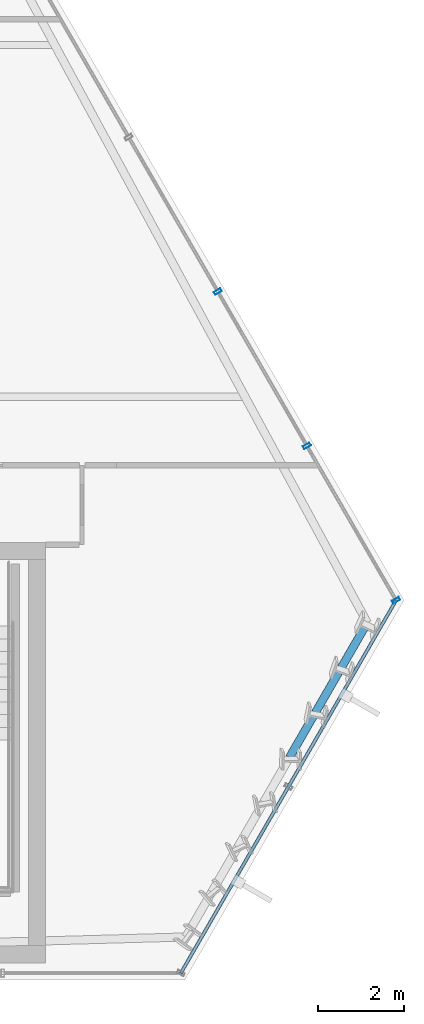
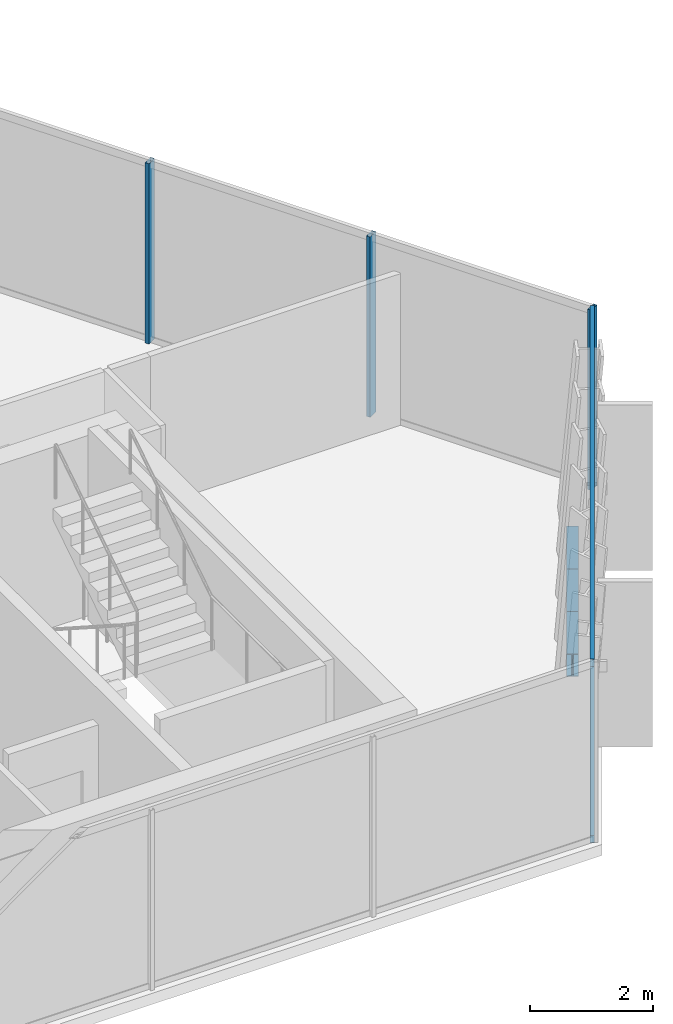
# One storey, part 16 of 35: 5 members, 3 beams, 2 elements without a shape of their own.
"""IFC4 building model written with IfcOpenShell, lengths in metres."""

from ifc_helpers import new_model, si_unit, direction, frame, origin, origin_2d, place, context, subcontext, project, spatial, hollow_rectangle, i_section, extrude, material, layer, layer_set, material_profile, profile_set, type_object, element, aggregate, save


model = new_model("IFC4")

# Units and contexts
model_context = context("Model", 3, precision=1e-05, world=origin(), true_north=direction((0.0, 1.0)))
body_context = subcontext(model_context, "Body", "Model", "MODEL_VIEW")
ifc_project = project(units=[si_unit("LENGTHUNIT", "METRE"), si_unit("AREAUNIT", "SQUARE_METRE"), si_unit("VOLUMEUNIT", "CUBIC_METRE"), si_unit("PLANEANGLEUNIT", "RADIAN"), si_unit("MASSUNIT", "GRAM", prefix="KILO")], contexts=[model_context])

# Site, building, storey
site_placement = place(None, origin())
site = spatial("IfcSite", under=ifc_project, at=site_placement, CompositionType="ELEMENT")
building_placement = place(site_placement, origin())
building = spatial("IfcBuilding", under=site, at=building_placement, Name="Ndaravel Arena Tower", CompositionType="ELEMENT")
storey_placement = place(building_placement, frame((0.0, 0.0, 180.199951171875)))
storey = spatial("IfcBuildingStorey", under=building, at=storey_placement, Name="L43", CompositionType="ELEMENT", Elevation=180.199951171875)

# Beams
ifc_material_1 = material(Name="Steel S355", Category="steel")
ifc_material_profile_1 = material_profile(ifc_material_1, i_section(OverallWidth=0.18994140625, OverallDepth=0.449951171875, WebThickness=0.009521484375, FlangeThickness=0.0146484375, FilletRadius=0.02099609375, at=origin_2d()), Name="IPE 450")
ifc_profile_set_1 = profile_set([ifc_material_profile_1], Name="Steel S355")
beam_type = type_object("IfcBeamType", Name="BM-SPAN-IPE450", PredefinedType="SPANDREL", material=ifc_profile_set_1)
for number, where, z_axis, x_axis, name in (
    (1, (63.23779296875, 10.189697265625, -0.445068359375), (0.499984757355, 0.866034203951, 0.0), (-0.866034203951, 0.499984757355, 0.0), "L43 Perimeter Spandrel Beam SP-06"),
    (2, (63.842041015625, 11.236328125, -0.445068359375), (0.499984757355, 0.866034203951, 0.0), (-0.866034203951, 0.499984757355, 0.0), "L43 Perimeter Spandrel Beam SP-07"),
    (3, (64.4462890625, 12.282958984375, -0.445068359375), (0.499984757355, 0.866034203951, 0.0), (-0.866034203951, 0.499984757355, 0.0), "L43 Perimeter Spandrel Beam SP-08"),
):
    element("IfcBeam", number, at=place(storey_placement, frame(where, z_axis=z_axis, x_axis=x_axis)), inside=storey, type_object=beam_type, Name=name, PredefinedType="SPANDREL", context=body_context, shape_type="SweptSolid", body=[
        extrude(i_section(OverallWidth=0.18994140625, OverallDepth=0.449951171875, WebThickness=0.009521484375, FlangeThickness=0.0146484375, FilletRadius=0.02099609375, at=origin_2d()), origin(), (0.0, 0.0, 1.0), 1.20849609375),
    ])

# Curtain wall, members
ifc_material_2 = material(Name="Aluminium", Category="aluminium")
ifc_layer_1 = layer(ifc_material_2, 0.179931640625)
ifc_layer_set_1 = layer_set([ifc_layer_1], Name="Aluminium")
curtain_wall_type_1 = type_object("IfcCurtainWallType", Name="CW-SYS-03", PredefinedType="NOTDEFINED", material=ifc_layer_set_1)
curtain_wall_1_placement = place(storey_placement, origin())
curtain_wall_1 = element("IfcCurtainWall", 4, at=curtain_wall_1_placement, inside=storey, type_object=curtain_wall_type_1, Name="L43 Faceted Crystal Curtain Wall CW-L43-E03", PredefinedType="NOTDEFINED")
ifc_material_3 = material(Name="Aluminium", Category="aluminium")
ifc_material_profile_2 = material_profile(ifc_material_3, hollow_rectangle(XDim=0.074951171875, YDim=0.179931640625, WallThickness=0.00390625, at=origin_2d()), Name="CW MULLION 75x180x4")
ifc_profile_set_2 = profile_set([ifc_material_profile_2], Name="Aluminium")
member_type_1 = type_object("IfcMemberType", Name="MEM-CW-MUL180", PredefinedType="MULLION", material=ifc_profile_set_2)
member_1_placement = place(storey_placement, frame((65.72216796875, 13.852783203125, 0.0), z_axis=(0.0, 0.0, 1.0), x_axis=(-0.5, 0.866025403784, 0.0)))
member_1 = element("IfcMember", 5, at=member_1_placement, type_object=member_type_1, Name="CW-L43-E03 Mullion 00", PredefinedType="MULLION", context=body_context, shape_type="SweptSolid", body=[
    extrude(hollow_rectangle(XDim=0.074951171875, YDim=0.179931640625, WallThickness=0.00390625, at=origin_2d()), origin(), (0.0, 0.0, 1.0), 3.580078125),
])
member_2_placement = place(storey_placement, frame((63.64404296875, 17.452392578125, 0.0), z_axis=(0.0, 0.0, 1.0), x_axis=(-0.5, 0.866025403784, 0.0)))
member_2 = element("IfcMember", 6, at=member_2_placement, type_object=member_type_1, Name="CW-L43-E03 Mullion 01", PredefinedType="MULLION", context=body_context, shape_type="SweptSolid", body=[
    extrude(hollow_rectangle(XDim=0.074951171875, YDim=0.179931640625, WallThickness=0.00390625, at=origin_2d()), origin(), (0.0, 0.0, 1.0), 3.580078125),
])
member_3_placement = place(storey_placement, frame((61.56591796875, 21.052001953125, 0.0), z_axis=(0.0, 0.0, 1.0), x_axis=(-0.5, 0.866025403784, 0.0)))
member_3 = element("IfcMember", 7, at=member_3_placement, type_object=member_type_1, Name="CW-L43-E03 Mullion 02", PredefinedType="MULLION", context=body_context, shape_type="SweptSolid", body=[
    extrude(hollow_rectangle(XDim=0.074951171875, YDim=0.179931640625, WallThickness=0.00390625, at=origin_2d()), origin(), (0.0, 0.0, 1.0), 3.580078125),
])
aggregate(curtain_wall_1, [member_1, member_2, member_3])

ifc_material_4 = material(Name="Aluminium", Category="aluminium")
ifc_layer_2 = layer(ifc_material_4, 0.179931640625)
ifc_layer_set_2 = layer_set([ifc_layer_2], Name="Aluminium")
curtain_wall_type_2 = type_object("IfcCurtainWallType", Name="CW-SYS-01", PredefinedType="NOTDEFINED", material=ifc_layer_set_2)
curtain_wall_2_placement = place(storey_placement, origin())
curtain_wall_2 = element("IfcCurtainWall", 8, at=curtain_wall_2_placement, inside=storey, type_object=curtain_wall_type_2, Name="L43 Faceted Crystal Curtain Wall CW-L43-E02", PredefinedType="NOTDEFINED")
ifc_material_5 = material(Name="Aluminium", Category="aluminium")
ifc_material_profile_3 = material_profile(ifc_material_5, hollow_rectangle(XDim=0.074951171875, YDim=0.14990234375, WallThickness=0.00390625, at=origin_2d()), Name="CW TRANSOM 75x150x4")
ifc_profile_set_3 = profile_set([ifc_material_profile_3], Name="Aluminium")
member_type_2 = type_object("IfcMemberType", Name="MEM-CW-TRN150", PredefinedType="USERDEFINED", material=ifc_profile_set_3)
member_4_placement = place(storey_placement, frame((60.703369140625, 5.159912109375, 0.0400390625), z_axis=(0.499997561338, 0.866026811742, 0.0), x_axis=(-0.866026811742, 0.499997561338, 0.0)))
member_4 = element("IfcMember", 9, at=member_4_placement, type_object=member_type_2, Name="CW-L43-E02 Transom 01", ObjectType="TRANSOM", PredefinedType="USERDEFINED", context=body_context, shape_type="SweptSolid", body=[
    extrude(hollow_rectangle(XDim=0.074951171875, YDim=0.14990234375, WallThickness=0.00390625, at=origin_2d()), origin(), (0.0, 0.0, 1.0), 10.03759765625),
])
member_5_placement = place(storey_placement, frame((60.703369140625, 5.159912109375, 3.5400390625), z_axis=(0.499997561338, 0.866026811742, 0.0), x_axis=(-0.866026811742, 0.499997561338, 0.0)))
member_5 = element("IfcMember", 10, at=member_5_placement, type_object=member_type_2, Name="CW-L43-E02 Transom 02", ObjectType="TRANSOM", PredefinedType="USERDEFINED", context=body_context, shape_type="SweptSolid", body=[
    extrude(hollow_rectangle(XDim=0.074951171875, YDim=0.14990234375, WallThickness=0.00390625, at=origin_2d()), origin(), (0.0, 0.0, 1.0), 10.03759765625),
])
aggregate(curtain_wall_2, [member_4, member_5])

save(model, "model.ifc")
